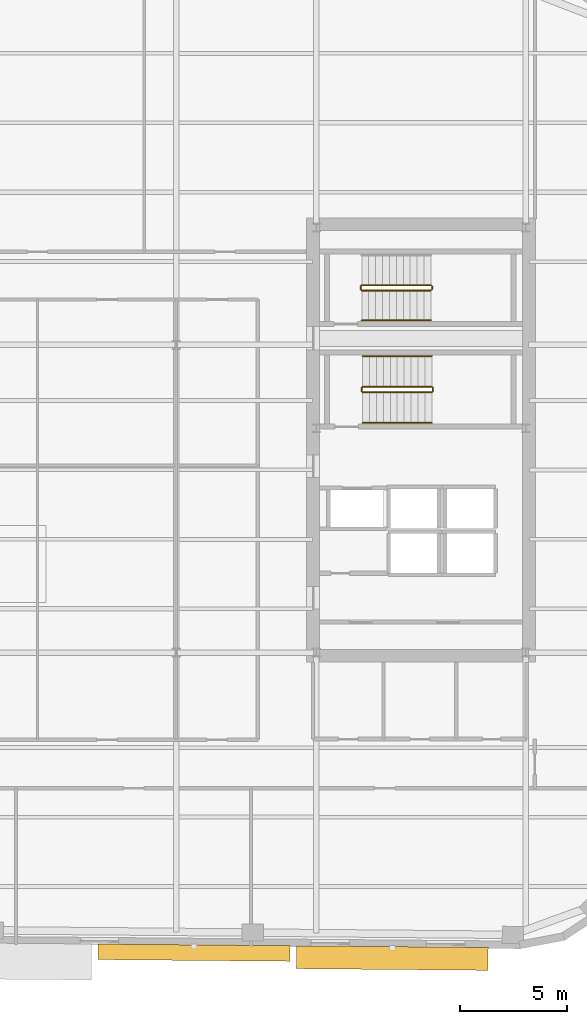
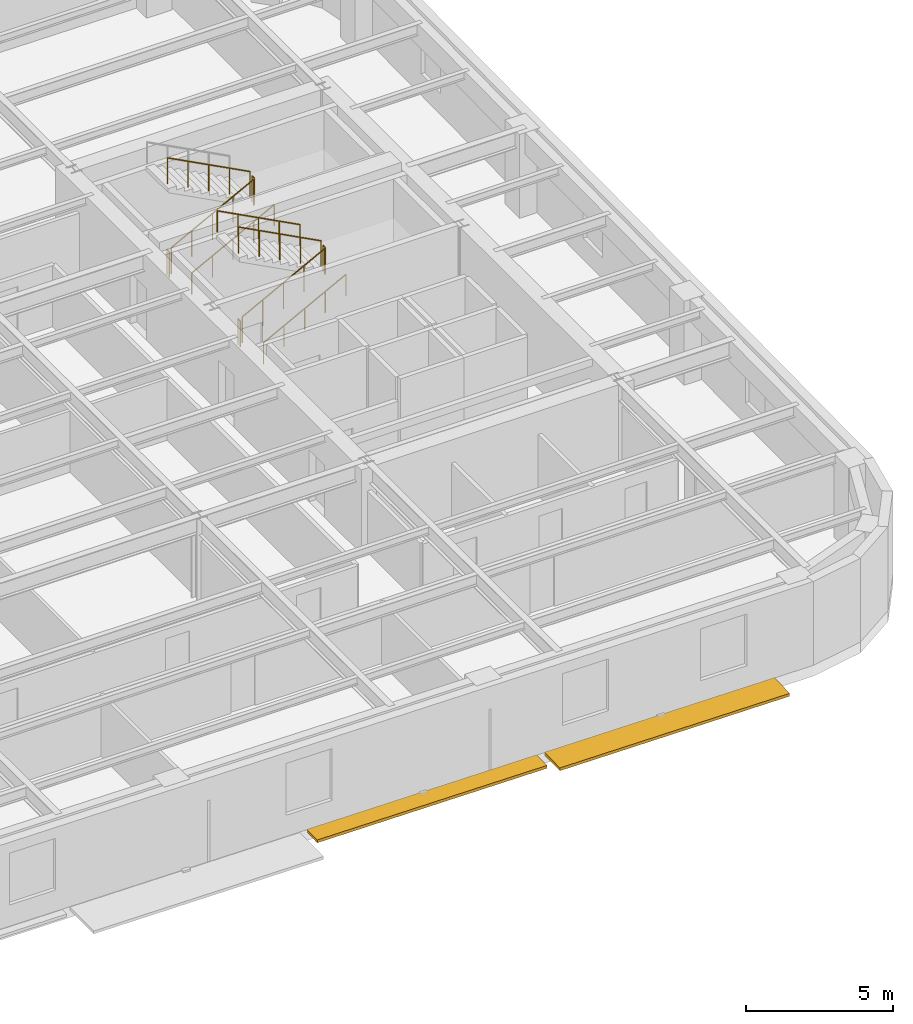
# One storey, part 10 of 11: 11 railings, 2 shading devices.
"""IFC4 building model written with IfcOpenShell, lengths in metres."""

from ifc_helpers import new_model, si_unit, direction, frame, origin, origin_2d, place, context, subcontext, project, spatial, rectangle, circle, extrude, material, type_object, element, save


model = new_model("IFC4")

# Units and contexts
model_context = context("Model", 3, precision=1e-05, world=origin(), true_north=direction((0.0, 1.0)))
body_context = subcontext(model_context, "Body", "Model", "MODEL_VIEW")
ifc_project = project(units=[si_unit("LENGTHUNIT", "METRE"), si_unit("AREAUNIT", "SQUARE_METRE"), si_unit("VOLUMEUNIT", "CUBIC_METRE"), si_unit("PLANEANGLEUNIT", "RADIAN"), si_unit("MASSUNIT", "GRAM", prefix="KILO")], contexts=[model_context])

# Site, building, storey
site_placement = place(None, origin())
site = spatial("IfcSite", under=ifc_project, at=site_placement, CompositionType="ELEMENT")
building_placement = place(site_placement, origin())
building = spatial("IfcBuilding", under=site, at=building_placement, Name="Kolvaren Arena Tower", CompositionType="ELEMENT")
storey_placement = place(building_placement, frame((0.0, 0.0, 158.449951171875)))
storey = spatial("IfcBuildingStorey", under=building, at=storey_placement, Name="L37", CompositionType="ELEMENT", Elevation=158.449951171875)

# Railings
ifc_material_1 = material(Name="Painted galvanized steel", Category="steel")
railing_type_1 = type_object("IfcRailingType", Name="GUARD-ST-110", PredefinedType="GUARDRAIL", material=ifc_material_1)
railing_1_placement = place(storey_placement, frame((52.719970703125, 31.639892578125, 0.17041015625)))
element("IfcRailing", 1, at=railing_1_placement, inside=storey, type_object=railing_type_1, Name="L37 ST-E1 stair guard 1", PredefinedType="GUARDRAIL", context=body_context, shape_type="SweptSolid", body=[
    extrude(circle(Radius=0.02392578125, at=origin_2d()), frame((0.0, 0.0, 1.076171875), z_axis=(0.884993431791, 0.0, 0.465603506952), x_axis=(0.0, 1.0, 0.0)), (0.0, 0.0, 1.0), 3.6611328125),
    extrude(circle(Radius=0.02099609375, at=origin_2d()), origin(), (0.0, 0.0, 1.0), 1.052001953125),
    extrude(circle(Radius=0.02099609375, at=origin_2d()), frame((0.81005859375, 0.0, 0.42626953125)), (0.0, 0.0, 1.0), 1.052001953125),
    extrude(circle(Radius=0.02099609375, at=origin_2d()), frame((1.6201171875, 0.0, 0.852294921875)), (0.0, 0.0, 1.0), 1.052001953125),
    extrude(circle(Radius=0.02099609375, at=origin_2d()), frame((2.429931640625, 0.0, 1.2783203125)), (0.0, 0.0, 1.0), 1.052001953125),
    extrude(circle(Radius=0.02099609375, at=origin_2d()), frame((3.239990234375, 0.0, 1.70458984375)), (0.0, 0.0, 1.0), 1.052001953125),
])
railing_2_placement = place(storey_placement, frame((56.010009765625, 31.68994140625, 1.875)))
element("IfcRailing", 2, at=railing_2_placement, inside=storey, type_object=railing_type_1, Name="L37 ST-E1 stair guard 2", PredefinedType="GUARDRAIL", context=body_context, shape_type="SweptSolid", body=[
    extrude(circle(Radius=0.02392578125, at=origin_2d()), frame((0.0, 0.0, 1.076171875), z_axis=(0.0, 1.0, 0.0), x_axis=(-1.0, 0.0, 0.0)), (0.0, 0.0, 1.0), 0.150146484375),
    extrude(circle(Radius=0.02099609375, at=origin_2d()), origin(), (0.0, 0.0, 1.0), 1.052001953125),
    extrude(circle(Radius=0.02099609375, at=origin_2d()), frame((0.0, 0.150146484375, 0.0)), (0.0, 0.0, 1.0), 1.052001953125),
])
railing_3_placement = place(storey_placement, frame((55.9599609375, 31.889892578125, 2.04541015625)))
element("IfcRailing", 3, at=railing_3_placement, inside=storey, type_object=railing_type_1, Name="L37 ST-E1 stair guard 3", PredefinedType="GUARDRAIL", context=body_context, shape_type="SweptSolid", body=[
    extrude(circle(Radius=0.02392578125, at=origin_2d()), frame((0.0, 0.0, 1.076171875), z_axis=(-0.884993431791, 0.0, 0.465603506952), x_axis=(0.0, -1.0, 0.0)), (0.0, 0.0, 1.0), 3.6611328125),
    extrude(circle(Radius=0.02099609375, at=origin_2d()), origin(), (0.0, 0.0, 1.0), 1.052001953125),
    extrude(circle(Radius=0.02099609375, at=origin_2d()), frame((-0.81005859375, 0.0, 0.42626953125)), (0.0, 0.0, 1.0), 1.052001953125),
    extrude(circle(Radius=0.02099609375, at=origin_2d()), frame((-1.6201171875, 0.0, 0.852294921875)), (0.0, 0.0, 1.0), 1.052001953125),
    extrude(circle(Radius=0.02099609375, at=origin_2d()), frame((-2.429931640625, 0.0, 1.2783203125)), (0.0, 0.0, 1.0), 1.052001953125),
    extrude(circle(Radius=0.02099609375, at=origin_2d()), frame((-3.239990234375, 0.0, 1.70458984375)), (0.0, 0.0, 1.0), 1.052001953125),
])
railing_4_placement = place(storey_placement, frame((52.669921875, 31.68994140625, 0.0)))
element("IfcRailing", 4, at=railing_4_placement, inside=storey, type_object=railing_type_1, Name="L37 ST-E1 stair guard 4", PredefinedType="GUARDRAIL", context=body_context, shape_type="SweptSolid", body=[
    extrude(circle(Radius=0.02392578125, at=origin_2d()), frame((0.0, 0.0, 1.076171875), z_axis=(0.0, 1.0, 0.0), x_axis=(-1.0, 0.0, 0.0)), (0.0, 0.0, 1.0), 0.150146484375),
    extrude(circle(Radius=0.02099609375, at=origin_2d()), origin(), (0.0, 0.0, 1.0), 1.052001953125),
    extrude(circle(Radius=0.02099609375, at=origin_2d()), frame((0.0, 0.150146484375, 0.0)), (0.0, 0.0, 1.0), 1.052001953125),
])
railing_5_placement = place(storey_placement, frame((52.679931640625, 36.39990234375, 0.17041015625)))
element("IfcRailing", 5, at=railing_5_placement, inside=storey, type_object=railing_type_1, Name="L37 ST-E2 stair guard 1", PredefinedType="GUARDRAIL", context=body_context, shape_type="SweptSolid", body=[
    extrude(circle(Radius=0.02392578125, at=origin_2d()), frame((0.0, 0.0, 1.076171875), z_axis=(0.884993431791, 0.0, 0.465603506952), x_axis=(0.0, 1.0, 0.0)), (0.0, 0.0, 1.0), 3.6611328125),
    extrude(circle(Radius=0.02099609375, at=origin_2d()), origin(), (0.0, 0.0, 1.0), 1.052001953125),
    extrude(circle(Radius=0.02099609375, at=origin_2d()), frame((0.81005859375, 0.0, 0.42626953125)), (0.0, 0.0, 1.0), 1.052001953125),
    extrude(circle(Radius=0.02099609375, at=origin_2d()), frame((1.6201171875, 0.0, 0.852294921875)), (0.0, 0.0, 1.0), 1.052001953125),
    extrude(circle(Radius=0.02099609375, at=origin_2d()), frame((2.429931640625, 0.0, 1.2783203125)), (0.0, 0.0, 1.0), 1.052001953125),
    extrude(circle(Radius=0.02099609375, at=origin_2d()), frame((3.239990234375, 0.0, 1.70458984375)), (0.0, 0.0, 1.0), 1.052001953125),
])
railing_6_placement = place(storey_placement, frame((55.969970703125, 36.449951171875, 1.875)))
element("IfcRailing", 6, at=railing_6_placement, inside=storey, type_object=railing_type_1, Name="L37 ST-E2 stair guard 2", PredefinedType="GUARDRAIL", context=body_context, shape_type="SweptSolid", body=[
    extrude(circle(Radius=0.02392578125, at=origin_2d()), frame((0.0, 0.0, 1.076171875), z_axis=(0.0, 1.0, 0.0), x_axis=(-1.0, 0.0, 0.0)), (0.0, 0.0, 1.0), 0.150146484375),
    extrude(circle(Radius=0.02099609375, at=origin_2d()), origin(), (0.0, 0.0, 1.0), 1.052001953125),
    extrude(circle(Radius=0.02099609375, at=origin_2d()), frame((0.0, 0.150146484375, 0.0)), (0.0, 0.0, 1.0), 1.052001953125),
])
railing_7_placement = place(storey_placement, frame((55.919921875, 36.64990234375, 2.04541015625)))
element("IfcRailing", 7, at=railing_7_placement, inside=storey, type_object=railing_type_1, Name="L37 ST-E2 stair guard 3", PredefinedType="GUARDRAIL", context=body_context, shape_type="SweptSolid", body=[
    extrude(circle(Radius=0.02392578125, at=origin_2d()), frame((0.0, 0.0, 1.076171875), z_axis=(-0.884993431791, 0.0, 0.465603506952), x_axis=(0.0, -1.0, 0.0)), (0.0, 0.0, 1.0), 3.6611328125),
    extrude(circle(Radius=0.02099609375, at=origin_2d()), origin(), (0.0, 0.0, 1.0), 1.052001953125),
    extrude(circle(Radius=0.02099609375, at=origin_2d()), frame((-0.81005859375, 0.0, 0.42626953125)), (0.0, 0.0, 1.0), 1.052001953125),
    extrude(circle(Radius=0.02099609375, at=origin_2d()), frame((-1.6201171875, 0.0, 0.852294921875)), (0.0, 0.0, 1.0), 1.052001953125),
    extrude(circle(Radius=0.02099609375, at=origin_2d()), frame((-2.429931640625, 0.0, 1.2783203125)), (0.0, 0.0, 1.0), 1.052001953125),
    extrude(circle(Radius=0.02099609375, at=origin_2d()), frame((-3.239990234375, 0.0, 1.70458984375)), (0.0, 0.0, 1.0), 1.052001953125),
])
railing_8_placement = place(storey_placement, frame((52.6298828125, 36.449951171875, 0.0)))
element("IfcRailing", 8, at=railing_8_placement, inside=storey, type_object=railing_type_1, Name="L37 ST-E2 stair guard 4", PredefinedType="GUARDRAIL", context=body_context, shape_type="SweptSolid", body=[
    extrude(circle(Radius=0.02392578125, at=origin_2d()), frame((0.0, 0.0, 1.076171875), z_axis=(0.0, 1.0, 0.0), x_axis=(-1.0, 0.0, 0.0)), (0.0, 0.0, 1.0), 0.150146484375),
    extrude(circle(Radius=0.02099609375, at=origin_2d()), origin(), (0.0, 0.0, 1.0), 1.052001953125),
    extrude(circle(Radius=0.02099609375, at=origin_2d()), frame((0.0, 0.150146484375, 0.0)), (0.0, 0.0, 1.0), 1.052001953125),
])
ifc_material_2 = material(Name="Brushed stainless steel handrail", Category="steel")
railing_type_2 = type_object("IfcRailingType", Name="HRAIL-900", PredefinedType="HANDRAIL", material=ifc_material_2)
railing_9_placement = place(storey_placement, frame((52.719970703125, 30.199951171875, 0.17041015625)))
element("IfcRailing", 9, at=railing_9_placement, inside=storey, type_object=railing_type_2, Name="L37 ST-E1 stair handrail 1", PredefinedType="HANDRAIL", context=body_context, shape_type="SweptSolid", body=[
    extrude(circle(Radius=0.02392578125, at=origin_2d()), frame((0.0, 0.0, 0.8759765625), z_axis=(0.884993431791, 0.0, 0.465603506952), x_axis=(0.0, 1.0, 0.0)), (0.0, 0.0, 1.0), 3.6611328125),
    extrude(circle(Radius=0.02099609375, at=origin_2d()), origin(), (0.0, 0.0, 1.0), 0.851806640625),
    extrude(circle(Radius=0.02099609375, at=origin_2d()), frame((0.81005859375, 0.0, 0.42626953125)), (0.0, 0.0, 1.0), 0.851806640625),
    extrude(circle(Radius=0.02099609375, at=origin_2d()), frame((1.6201171875, 0.0, 0.852294921875)), (0.0, 0.0, 1.0), 0.851806640625),
    extrude(circle(Radius=0.02099609375, at=origin_2d()), frame((2.429931640625, 0.0, 1.2783203125)), (0.0, 0.0, 1.0), 0.851806640625),
    extrude(circle(Radius=0.02099609375, at=origin_2d()), frame((3.239990234375, 0.0, 1.70458984375)), (0.0, 0.0, 1.0), 0.851806640625),
])
railing_10_placement = place(storey_placement, frame((55.9599609375, 33.330078125, 2.04541015625)))
element("IfcRailing", 10, at=railing_10_placement, inside=storey, type_object=railing_type_2, Name="L37 ST-E1 stair handrail 2", PredefinedType="HANDRAIL", context=body_context, shape_type="SweptSolid", body=[
    extrude(circle(Radius=0.02392578125, at=origin_2d()), frame((0.0, 0.0, 0.8759765625), z_axis=(-0.884993431791, 0.0, 0.465603506952), x_axis=(0.0, -1.0, 0.0)), (0.0, 0.0, 1.0), 3.6611328125),
    extrude(circle(Radius=0.02099609375, at=origin_2d()), origin(), (0.0, 0.0, 1.0), 0.851806640625),
    extrude(circle(Radius=0.02099609375, at=origin_2d()), frame((-0.81005859375, 0.0, 0.42626953125)), (0.0, 0.0, 1.0), 0.851806640625),
    extrude(circle(Radius=0.02099609375, at=origin_2d()), frame((-1.6201171875, 0.0, 0.852294921875)), (0.0, 0.0, 1.0), 0.851806640625),
    extrude(circle(Radius=0.02099609375, at=origin_2d()), frame((-2.429931640625, 0.0, 1.2783203125)), (0.0, 0.0, 1.0), 0.851806640625),
    extrude(circle(Radius=0.02099609375, at=origin_2d()), frame((-3.239990234375, 0.0, 1.70458984375)), (0.0, 0.0, 1.0), 0.851806640625),
])
railing_11_placement = place(storey_placement, frame((52.679931640625, 35.0, 0.17041015625)))
element("IfcRailing", 11, at=railing_11_placement, inside=storey, type_object=railing_type_2, Name="L37 ST-E2 stair handrail 1", PredefinedType="HANDRAIL", context=body_context, shape_type="SweptSolid", body=[
    extrude(circle(Radius=0.02392578125, at=origin_2d()), frame((0.0, 0.0, 0.8759765625), z_axis=(0.884993431791, 0.0, 0.465603506952), x_axis=(0.0, 1.0, 0.0)), (0.0, 0.0, 1.0), 3.6611328125),
    extrude(circle(Radius=0.02099609375, at=origin_2d()), origin(), (0.0, 0.0, 1.0), 0.851806640625),
    extrude(circle(Radius=0.02099609375, at=origin_2d()), frame((0.81005859375, 0.0, 0.42626953125)), (0.0, 0.0, 1.0), 0.851806640625),
    extrude(circle(Radius=0.02099609375, at=origin_2d()), frame((1.6201171875, 0.0, 0.852294921875)), (0.0, 0.0, 1.0), 0.851806640625),
    extrude(circle(Radius=0.02099609375, at=origin_2d()), frame((2.429931640625, 0.0, 1.2783203125)), (0.0, 0.0, 1.0), 0.851806640625),
    extrude(circle(Radius=0.02099609375, at=origin_2d()), frame((3.239990234375, 0.0, 1.70458984375)), (0.0, 0.0, 1.0), 0.851806640625),
])

# Shading devices
ifc_material_3 = material(Name="Architectural precast GFRC and anodised aluminium sunshade", Category="concrete")
shading_device_type = type_object("IfcShadingDeviceType", Name="SHAD-SINE-A", PredefinedType="USERDEFINED", material=ifc_material_3)
shading_device_1_placement = place(storey_placement, frame((54.106201171875, 5.151611328125, -0.139892578125), z_axis=(0.0, 0.0, 1.0), x_axis=(-0.999961923064, 0.008726535498, 0.0)))
element("IfcShadingDevice", 12, at=shading_device_1_placement, inside=storey, type_object=shading_device_type, Name="Sinusoidal Slab-Edge Sunshade Louvre (L37)", ObjectType="LOUVRE", PredefinedType="USERDEFINED", context=body_context, shape_type="SweptSolid", body=[
    extrude(rectangle(XDim=8.97998046875, YDim=1.072265625, at=origin_2d()), origin(), (0.0, 0.0, 1.0), 0.1201171875),
])
shading_device_2_placement = place(storey_placement, frame((44.827880859375, 5.404541015625, -0.139892578125), z_axis=(0.0, 0.0, 1.0), x_axis=(-0.999961923064, 0.008726535498, 0.0)))
element("IfcShadingDevice", 13, at=shading_device_2_placement, inside=storey, type_object=shading_device_type, Name="Sinusoidal Slab-Edge Sunshade Louvre (L37)", ObjectType="LOUVRE", PredefinedType="USERDEFINED", context=body_context, shape_type="SweptSolid", body=[
    extrude(rectangle(XDim=8.97998046875, YDim=0.728271484375, at=origin_2d()), origin(), (0.0, 0.0, 1.0), 0.1201171875),
])

save(model, "model.ifc")
